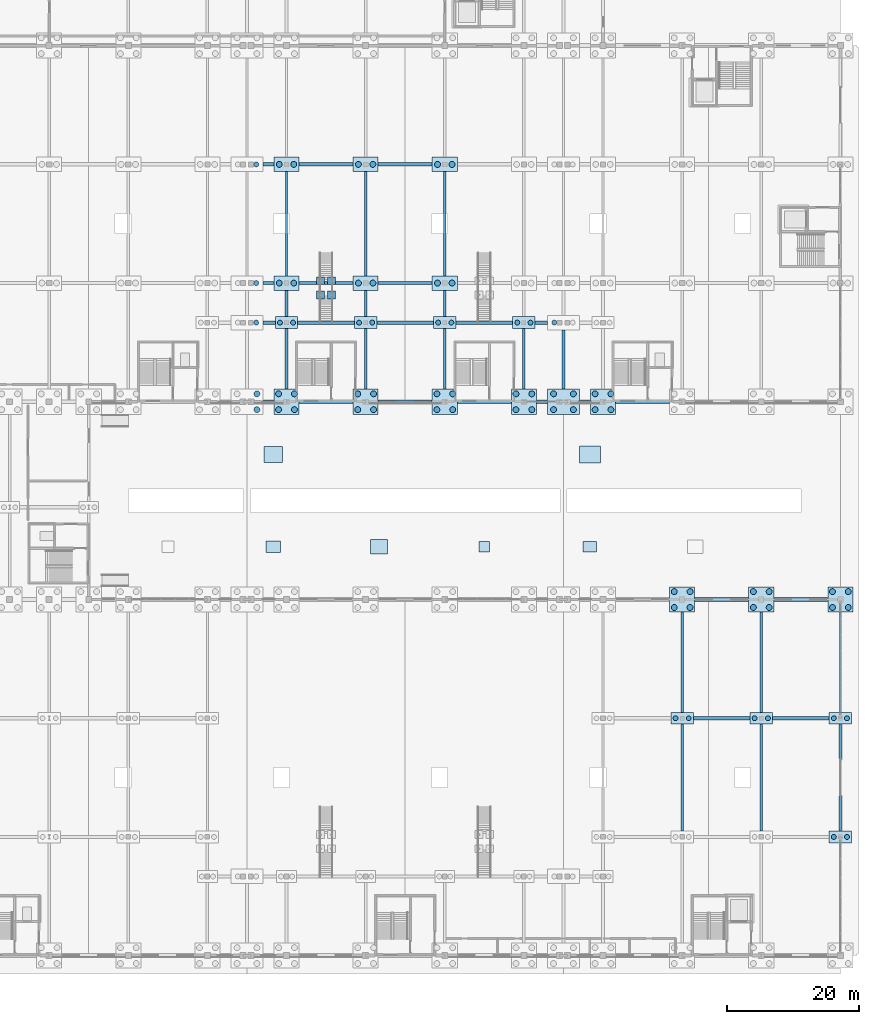
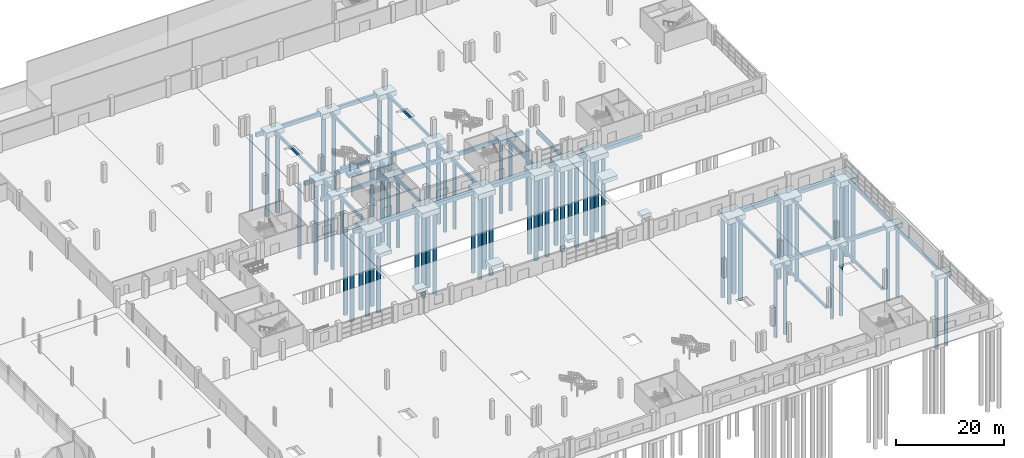
# One storey, part 6 of 77: 72 footings, 70 piles.
"""IFC4 building model written with IfcOpenShell, lengths in metres."""

from ifc_helpers import new_model, si_unit, direction, frame, origin, origin_2d, place, context, subcontext, project, spatial, rectangle, circle, extrude, material, material_profile, profile_set, type_object, element, save


model = new_model("IFC4")

# Units and contexts
model_context = context("Model", 3, precision=1e-05, world=origin(), true_north=direction((0.0, 1.0)))
body_context = subcontext(model_context, "Body", "Model", "MODEL_VIEW")
ifc_project = project(units=[si_unit("LENGTHUNIT", "METRE"), si_unit("AREAUNIT", "SQUARE_METRE"), si_unit("VOLUMEUNIT", "CUBIC_METRE"), si_unit("PLANEANGLEUNIT", "RADIAN"), si_unit("MASSUNIT", "GRAM", prefix="KILO")], contexts=[model_context])

# Site, building, storey
site_placement = place(None, origin())
site = spatial("IfcSite", under=ifc_project, at=site_placement, CompositionType="ELEMENT")
building_placement = place(site_placement, origin())
building = spatial("IfcBuilding", under=site, at=building_placement, Name="Zilviju Railside Exhibition Hall", CompositionType="ELEMENT")
storey_placement = place(building_placement, origin())
storey = spatial("IfcBuildingStorey", under=building, at=storey_placement, Name="L01", CompositionType="ELEMENT", Elevation=0.0)

# Footings
ifc_material_1 = material(Name="Concrete C35/45", Category="concrete")
footing_type_1 = type_object("IfcFootingType", Name="CAP-PC-01", PredefinedType="PILE_CAP", material=ifc_material_1)
for number, where, z_axis, x_axis, name in (
    (1, (192.0, 54.0, -1.60009765625), (0.0, 0.0, 1.0), (1.0, 0.0, 0.0), "Pile Cap FND-CAP-084"),
    (2, (204.0, 54.0, -1.60009765625), (0.0, 0.0, 1.0), (1.0, 0.0, 0.0), "Pile Cap FND-CAP-085"),
    (3, (216.0, 54.0, -1.60009765625), (0.0, 0.0, 1.0), (1.0, 0.0, 0.0), "Pile Cap FND-CAP-086"),
    (4, (132.0, 84.0, -1.60009765625), (0.0, 0.0, 1.0), (1.0, 0.0, 0.0), "Pile Cap FND-CAP-124"),
    (5, (144.0, 84.0, -1.60009765625), (0.0, 0.0, 1.0), (1.0, 0.0, 0.0), "Pile Cap FND-CAP-125"),
    (6, (156.0, 84.0, -1.60009765625), (0.0, 0.0, 1.0), (1.0, 0.0, 0.0), "Pile Cap FND-CAP-126"),
    (7, (168.0, 84.0, -1.60009765625), (0.0, 0.0, 1.0), (1.0, 0.0, 0.0), "Pile Cap FND-CAP-127"),
    (8, (180.0, 84.0, -1.60009765625), (0.0, 0.0, 1.0), (1.0, 0.0, 0.0), "Pile Cap FND-CAP-129"),
):
    element("IfcFooting", number, at=place(storey_placement, frame(where, z_axis=z_axis, x_axis=x_axis)), inside=storey, type_object=footing_type_1, Name=name, PredefinedType="PILE_CAP", context=body_context, shape_type="SweptSolid", body=[
        extrude(rectangle(XDim=3.800048828125, YDim=3.800048828125, at=origin_2d()), origin(), (0.0, 0.0, 1.0), 1.199951171875),
    ])
footing_type_2 = type_object("IfcFootingType", Name="CAP-PC-02", PredefinedType="PILE_CAP", material=ifc_material_1)
for number, where, z_axis, x_axis, name in (
    (9, (132.0, 102.0, -1.550048828125), (0.0, 0.0, 1.0), (1.0, 0.0, 0.0), "Pile Cap FND-CAP-155"),
    (10, (144.0, 102.0, -1.550048828125), (0.0, 0.0, 1.0), (1.0, 0.0, 0.0), "Pile Cap FND-CAP-156"),
    (11, (156.0, 102.0, -1.550048828125), (0.0, 0.0, 1.0), (1.0, 0.0, 0.0), "Pile Cap FND-CAP-157"),
    (12, (132.0, 120.0, -1.550048828125), (0.0, 0.0, 1.0), (1.0, 0.0, 0.0), "Pile Cap FND-CAP-178"),
    (13, (144.0, 120.0, -1.550048828125), (0.0, 0.0, 1.0), (1.0, 0.0, 0.0), "Pile Cap FND-CAP-179"),
    (14, (156.0, 120.0, -1.550048828125), (0.0, 0.0, 1.0), (1.0, 0.0, 0.0), "Pile Cap FND-CAP-180"),
):
    element("IfcFooting", number, at=place(storey_placement, frame(where, z_axis=z_axis, x_axis=x_axis)), inside=storey, type_object=footing_type_2, Name=name, PredefinedType="PILE_CAP", context=body_context, shape_type="SweptSolid", body=[
        extrude(rectangle(XDim=3.800048828125, YDim=2.199951171875, at=origin_2d()), origin(), (0.0, 0.0, 1.0), 1.14990234375),
    ])
footing_type_3 = type_object("IfcFootingType", Name="CAP-PC-03", PredefinedType="PILE_CAP", material=ifc_material_1)
for number, where, z_axis, x_axis, name in (
    (15, (216.0, 18.0, -1.4501953125), (0.0, 0.0, 1.0), (1.0, 0.0, 0.0), "Pile Cap FND-CAP-042"),
    (16, (192.0, 36.0, -1.4501953125), (0.0, 0.0, 1.0), (1.0, 0.0, 0.0), "Pile Cap FND-CAP-056"),
    (17, (204.0, 36.0, -1.4501953125), (0.0, 0.0, 1.0), (1.0, 0.0, 0.0), "Pile Cap FND-CAP-057"),
    (18, (216.0, 36.0, -1.4501953125), (0.0, 0.0, 1.0), (1.0, 0.0, 0.0), "Pile Cap FND-CAP-058"),
    (19, (132.0, 96.0, -1.4501953125), (0.0, 0.0, 1.0), (1.0, 0.0, 0.0), "Pile Cap FND-CAP-135"),
    (20, (144.0, 96.0, -1.4501953125), (0.0, 0.0, 1.0), (1.0, 0.0, 0.0), "Pile Cap FND-CAP-136"),
    (21, (156.0, 96.0, -1.4501953125), (0.0, 0.0, 1.0), (1.0, 0.0, 0.0), "Pile Cap FND-CAP-137"),
    (22, (168.0, 96.0, -1.4501953125), (0.0, 0.0, 1.0), (1.0, 0.0, 0.0), "Pile Cap FND-CAP-138"),
):
    element("IfcFooting", number, at=place(storey_placement, frame(where, z_axis=z_axis, x_axis=x_axis)), inside=storey, type_object=footing_type_3, Name=name, PredefinedType="PILE_CAP", context=body_context, shape_type="SweptSolid", body=[
        extrude(rectangle(XDim=3.39990234375, YDim=1.800048828125, at=origin_2d()), origin(), (0.0, 0.0, 1.0), 1.050048828125),
    ])
footing_type_4 = type_object("IfcFootingType", Name="CAP-PC-06", PredefinedType="PILE_CAP", material=ifc_material_1)
footing_1_placement = place(storey_placement, frame((174.0, 84.0, -1.60009765625), z_axis=(0.0, 0.0, 1.0), x_axis=(1.0, 0.0, 0.0)))
element("IfcFooting", 23, at=footing_1_placement, inside=storey, type_object=footing_type_4, Name="Combined Pile Cap FND-CAP-128", PredefinedType="PILE_CAP", context=body_context, shape_type="SweptSolid", body=[
    extrude(rectangle(XDim=4.800048828125, YDim=3.800048828125, at=origin_2d()), origin(), (0.0, 0.0, 1.0), 1.199951171875),
])
ifc_material_profile_1 = material_profile(ifc_material_1, rectangle(XDim=0.60009765625, YDim=0.89990234375, at=origin_2d()), Name="TIE BEAM 600x900")
ifc_profile_set_1 = profile_set([ifc_material_profile_1], Name="Concrete C35/45")
footing_type_5 = type_object("IfcFootingType", Name="GB-GB-01", PredefinedType="FOOTING_BEAM", material=ifc_profile_set_1)
for number, where, z_axis, x_axis, name in (
    (24, (193.89990234375, 54.0, -0.85009765625), (1.0, 0.0, 0.0), (0.0, 1.0, 0.0), "Ground Tie Beam GB-0073"),
    (25, (205.89990234375, 54.0, -0.85009765625), (1.0, 0.0, 0.0), (0.0, 1.0, 0.0), "Ground Tie Beam GB-0074"),
):
    element("IfcFooting", number, at=place(storey_placement, frame(where, z_axis=z_axis, x_axis=x_axis)), inside=storey, type_object=footing_type_5, Name=name, PredefinedType="FOOTING_BEAM", context=body_context, shape_type="SweptSolid", body=[
        extrude(rectangle(XDim=0.60009765625, YDim=0.89990234375, at=origin_2d()), origin(), (0.0, 0.0, 1.0), 8.2001953125),
    ])
footing_2_placement = place(storey_placement, frame((128.39990234375, 84.0, -0.85009765625), z_axis=(1.0, 0.0, 0.0), x_axis=(0.0, 1.0, 0.0)))
element("IfcFooting", 26, at=footing_2_placement, inside=storey, type_object=footing_type_5, Name="Ground Tie Beam GB-0105", PredefinedType="FOOTING_BEAM", context=body_context, shape_type="SweptSolid", body=[
    extrude(rectangle(XDim=0.60009765625, YDim=0.89990234375, at=origin_2d()), origin(), (0.0, 0.0, 1.0), 1.7001953125),
])
for number, where, z_axis, x_axis, name in (
    (27, (133.89990234375, 84.0, -0.85009765625), (1.0, 0.0, 0.0), (0.0, 1.0, 0.0), "Ground Tie Beam GB-0106"),
    (28, (145.89990234375, 84.0, -0.85009765625), (1.0, 0.0, 0.0), (0.0, 1.0, 0.0), "Ground Tie Beam GB-0107"),
    (29, (157.89990234375, 84.0, -0.85009765625), (1.0, 0.0, 0.0), (0.0, 1.0, 0.0), "Ground Tie Beam GB-0108"),
):
    element("IfcFooting", number, at=place(storey_placement, frame(where, z_axis=z_axis, x_axis=x_axis)), inside=storey, type_object=footing_type_5, Name=name, PredefinedType="FOOTING_BEAM", context=body_context, shape_type="SweptSolid", body=[
        extrude(rectangle(XDim=0.60009765625, YDim=0.89990234375, at=origin_2d()), origin(), (0.0, 0.0, 1.0), 8.2001953125),
    ])
for number, where, z_axis, x_axis, name in (
    (30, (169.89990234375, 84.0, -0.85009765625), (1.0, 0.0, 0.0), (0.0, 1.0, 0.0), "Ground Tie Beam GB-0109"),
    (31, (176.39990234375, 84.0, -0.85009765625), (1.0, 0.0, 0.0), (0.0, 1.0, 0.0), "Ground Tie Beam GB-0110"),
):
    element("IfcFooting", number, at=place(storey_placement, frame(where, z_axis=z_axis, x_axis=x_axis)), inside=storey, type_object=footing_type_5, Name=name, PredefinedType="FOOTING_BEAM", context=body_context, shape_type="SweptSolid", body=[
        extrude(rectangle(XDim=0.60009765625, YDim=0.89990234375, at=origin_2d()), origin(), (0.0, 0.0, 1.0), 1.7001953125),
    ])
footing_3_placement = place(storey_placement, frame((181.89990234375, 84.0, -0.85009765625), z_axis=(1.0, 0.0, 0.0), x_axis=(0.0, 1.0, 0.0)))
element("IfcFooting", 32, at=footing_3_placement, inside=storey, type_object=footing_type_5, Name="Ground Tie Beam GB-0111", PredefinedType="FOOTING_BEAM", context=body_context, shape_type="SweptSolid", body=[
    extrude(rectangle(XDim=0.60009765625, YDim=0.89990234375, at=origin_2d()), origin(), (0.0, 0.0, 1.0), 8.2001953125),
])
ifc_material_profile_2 = material_profile(ifc_material_1, rectangle(XDim=0.5, YDim=0.85009765625, at=origin_2d()), Name="TIE BEAM 500x850")
ifc_profile_set_2 = profile_set([ifc_material_profile_2], Name="Concrete C35/45")
footing_type_6 = type_object("IfcFootingType", Name="GB-GB-02", PredefinedType="FOOTING_BEAM", material=ifc_profile_set_2)
for number, where, z_axis, x_axis, name in (
    (33, (193.699951171875, 36.0, -0.824951171875), (1.0, 0.0, 0.0), (0.0, 1.0, 0.0), "Ground Tie Beam GB-0050"),
    (34, (205.699951171875, 36.0, -0.824951171875), (1.0, 0.0, 0.0), (0.0, 1.0, 0.0), "Ground Tie Beam GB-0051"),
):
    element("IfcFooting", number, at=place(storey_placement, frame(where, z_axis=z_axis, x_axis=x_axis)), inside=storey, type_object=footing_type_6, Name=name, PredefinedType="FOOTING_BEAM", context=body_context, shape_type="SweptSolid", body=[
        extrude(rectangle(XDim=0.5, YDim=0.85009765625, at=origin_2d()), origin(), (0.0, 0.0, 1.0), 8.60009765625),
    ])
footing_4_placement = place(storey_placement, frame((128.39990234375, 96.0, -0.824951171875), z_axis=(1.0, 0.0, 0.0), x_axis=(0.0, 1.0, 0.0)))
element("IfcFooting", 35, at=footing_4_placement, inside=storey, type_object=footing_type_6, Name="Ground Tie Beam GB-0115", PredefinedType="FOOTING_BEAM", context=body_context, shape_type="SweptSolid", body=[
    extrude(rectangle(XDim=0.5, YDim=0.85009765625, at=origin_2d()), origin(), (0.0, 0.0, 1.0), 1.900146484375),
])
for number, where, z_axis, x_axis, name in (
    (36, (133.699951171875, 96.0, -0.824951171875), (1.0, 0.0, 0.0), (0.0, 1.0, 0.0), "Ground Tie Beam GB-0116"),
    (37, (145.699951171875, 96.0, -0.824951171875), (1.0, 0.0, 0.0), (0.0, 1.0, 0.0), "Ground Tie Beam GB-0117"),
    (38, (157.699951171875, 96.0, -0.824951171875), (1.0, 0.0, 0.0), (0.0, 1.0, 0.0), "Ground Tie Beam GB-0118"),
):
    element("IfcFooting", number, at=place(storey_placement, frame(where, z_axis=z_axis, x_axis=x_axis)), inside=storey, type_object=footing_type_6, Name=name, PredefinedType="FOOTING_BEAM", context=body_context, shape_type="SweptSolid", body=[
        extrude(rectangle(XDim=0.5, YDim=0.85009765625, at=origin_2d()), origin(), (0.0, 0.0, 1.0), 8.60009765625),
    ])
footing_5_placement = place(storey_placement, frame((169.699951171875, 96.0, -0.824951171875), z_axis=(1.0, 0.0, 0.0), x_axis=(0.0, 1.0, 0.0)))
element("IfcFooting", 39, at=footing_5_placement, inside=storey, type_object=footing_type_6, Name="Ground Tie Beam GB-0119", PredefinedType="FOOTING_BEAM", context=body_context, shape_type="SweptSolid", body=[
    extrude(rectangle(XDim=0.5, YDim=0.85009765625, at=origin_2d()), origin(), (0.0, 0.0, 1.0), 1.900146484375),
])
footing_6_placement = place(storey_placement, frame((128.39990234375, 102.0, -0.824951171875), z_axis=(1.0, 0.0, 0.0), x_axis=(0.0, 1.0, 0.0)))
element("IfcFooting", 40, at=footing_6_placement, inside=storey, type_object=footing_type_6, Name="Ground Tie Beam GB-0134", PredefinedType="FOOTING_BEAM", context=body_context, shape_type="SweptSolid", body=[
    extrude(rectangle(XDim=0.5, YDim=0.85009765625, at=origin_2d()), origin(), (0.0, 0.0, 1.0), 1.7001953125),
])
for number, where, z_axis, x_axis, name in (
    (41, (133.89990234375, 102.0, -0.824951171875), (1.0, 0.0, 0.0), (0.0, 1.0, 0.0), "Ground Tie Beam GB-0135"),
    (42, (145.89990234375, 102.0, -0.824951171875), (1.0, 0.0, 0.0), (0.0, 1.0, 0.0), "Ground Tie Beam GB-0136"),
):
    element("IfcFooting", number, at=place(storey_placement, frame(where, z_axis=z_axis, x_axis=x_axis)), inside=storey, type_object=footing_type_6, Name=name, PredefinedType="FOOTING_BEAM", context=body_context, shape_type="SweptSolid", body=[
        extrude(rectangle(XDim=0.5, YDim=0.85009765625, at=origin_2d()), origin(), (0.0, 0.0, 1.0), 8.2001953125),
    ])
footing_7_placement = place(storey_placement, frame((128.39990234375, 120.0, -0.824951171875), z_axis=(1.0, 0.0, 0.0), x_axis=(0.0, 1.0, 0.0)))
element("IfcFooting", 43, at=footing_7_placement, inside=storey, type_object=footing_type_6, Name="Ground Tie Beam GB-0156", PredefinedType="FOOTING_BEAM", context=body_context, shape_type="SweptSolid", body=[
    extrude(rectangle(XDim=0.5, YDim=0.85009765625, at=origin_2d()), origin(), (0.0, 0.0, 1.0), 1.7001953125),
])
for number, where, z_axis, x_axis, name in (
    (44, (133.89990234375, 120.0, -0.824951171875), (1.0, 0.0, 0.0), (0.0, 1.0, 0.0), "Ground Tie Beam GB-0157"),
    (45, (145.89990234375, 120.0, -0.824951171875), (1.0, 0.0, 0.0), (0.0, 1.0, 0.0), "Ground Tie Beam GB-0158"),
):
    element("IfcFooting", number, at=place(storey_placement, frame(where, z_axis=z_axis, x_axis=x_axis)), inside=storey, type_object=footing_type_6, Name=name, PredefinedType="FOOTING_BEAM", context=body_context, shape_type="SweptSolid", body=[
        extrude(rectangle(XDim=0.5, YDim=0.85009765625, at=origin_2d()), origin(), (0.0, 0.0, 1.0), 8.2001953125),
    ])
ifc_material_profile_3 = material_profile(ifc_material_1, rectangle(XDim=0.39990234375, YDim=0.75, at=origin_2d()), Name="TIE BEAM 400x750")
ifc_profile_set_3 = profile_set([ifc_material_profile_3], Name="Concrete C35/45")
footing_type_7 = type_object("IfcFootingType", Name="GB-GB-04", PredefinedType="FOOTING_BEAM", material=ifc_profile_set_3)
footing_8_placement = place(storey_placement, frame((132.0, 85.89990234375, -0.77490234375), z_axis=(0.0, 1.0, 0.0), x_axis=(-1.0, 0.0, 0.0)))
element("IfcFooting", 46, at=footing_8_placement, inside=storey, type_object=footing_type_7, Name="Ground Tie Beam GB-0333", PredefinedType="FOOTING_BEAM", context=body_context, shape_type="SweptSolid", body=[
    extrude(rectangle(XDim=0.39990234375, YDim=0.75, at=origin_2d()), origin(), (0.0, 0.0, 1.0), 9.2001953125),
])
footing_9_placement = place(storey_placement, frame((132.0, 96.89990234375, -0.77490234375), z_axis=(0.0, 1.0, 0.0), x_axis=(-1.0, 0.0, 0.0)))
element("IfcFooting", 47, at=footing_9_placement, inside=storey, type_object=footing_type_7, Name="Ground Tie Beam GB-0334", PredefinedType="FOOTING_BEAM", context=body_context, shape_type="SweptSolid", body=[
    extrude(rectangle(XDim=0.39990234375, YDim=0.75, at=origin_2d()), origin(), (0.0, 0.0, 1.0), 4.0),
])
footing_10_placement = place(storey_placement, frame((144.0, 85.89990234375, -0.77490234375), z_axis=(0.0, 1.0, 0.0), x_axis=(-1.0, 0.0, 0.0)))
element("IfcFooting", 48, at=footing_10_placement, inside=storey, type_object=footing_type_7, Name="Ground Tie Beam GB-0339", PredefinedType="FOOTING_BEAM", context=body_context, shape_type="SweptSolid", body=[
    extrude(rectangle(XDim=0.39990234375, YDim=0.75, at=origin_2d()), origin(), (0.0, 0.0, 1.0), 9.2001953125),
])
footing_11_placement = place(storey_placement, frame((144.0, 96.89990234375, -0.77490234375), z_axis=(0.0, 1.0, 0.0), x_axis=(-1.0, 0.0, 0.0)))
element("IfcFooting", 49, at=footing_11_placement, inside=storey, type_object=footing_type_7, Name="Ground Tie Beam GB-0340", PredefinedType="FOOTING_BEAM", context=body_context, shape_type="SweptSolid", body=[
    extrude(rectangle(XDim=0.39990234375, YDim=0.75, at=origin_2d()), origin(), (0.0, 0.0, 1.0), 4.0),
])
footing_12_placement = place(storey_placement, frame((156.0, 85.89990234375, -0.77490234375), z_axis=(0.0, 1.0, 0.0), x_axis=(-1.0, 0.0, 0.0)))
element("IfcFooting", 50, at=footing_12_placement, inside=storey, type_object=footing_type_7, Name="Ground Tie Beam GB-0345", PredefinedType="FOOTING_BEAM", context=body_context, shape_type="SweptSolid", body=[
    extrude(rectangle(XDim=0.39990234375, YDim=0.75, at=origin_2d()), origin(), (0.0, 0.0, 1.0), 9.2001953125),
])
footing_13_placement = place(storey_placement, frame((156.0, 96.89990234375, -0.77490234375), z_axis=(0.0, 1.0, 0.0), x_axis=(-1.0, 0.0, 0.0)))
element("IfcFooting", 51, at=footing_13_placement, inside=storey, type_object=footing_type_7, Name="Ground Tie Beam GB-0346", PredefinedType="FOOTING_BEAM", context=body_context, shape_type="SweptSolid", body=[
    extrude(rectangle(XDim=0.39990234375, YDim=0.75, at=origin_2d()), origin(), (0.0, 0.0, 1.0), 4.0),
])
footing_14_placement = place(storey_placement, frame((168.0, 85.89990234375, -0.77490234375), z_axis=(0.0, 1.0, 0.0), x_axis=(-1.0, 0.0, 0.0)))
element("IfcFooting", 52, at=footing_14_placement, inside=storey, type_object=footing_type_7, Name="Ground Tie Beam GB-0351", PredefinedType="FOOTING_BEAM", context=body_context, shape_type="SweptSolid", body=[
    extrude(rectangle(XDim=0.39990234375, YDim=0.75, at=origin_2d()), origin(), (0.0, 0.0, 1.0), 9.2001953125),
])
footing_15_placement = place(storey_placement, frame((174.0, 85.89990234375, -0.77490234375), z_axis=(0.0, 1.0, 0.0), x_axis=(-1.0, 0.0, 0.0)))
element("IfcFooting", 53, at=footing_15_placement, inside=storey, type_object=footing_type_7, Name="Ground Tie Beam GB-0357", PredefinedType="FOOTING_BEAM", context=body_context, shape_type="SweptSolid", body=[
    extrude(rectangle(XDim=0.39990234375, YDim=0.75, at=origin_2d()), origin(), (0.0, 0.0, 1.0), 9.0),
])
ifc_material_profile_4 = material_profile(ifc_material_1, rectangle(XDim=0.35009765625, YDim=0.64990234375, at=origin_2d()), Name="TIE BEAM 350x650")
ifc_profile_set_4 = profile_set([ifc_material_profile_4], Name="Concrete C35/45")
footing_type_8 = type_object("IfcFootingType", Name="GB-GB-06", PredefinedType="FOOTING_BEAM", material=ifc_profile_set_4)
for number, where, z_axis, x_axis, name in (
    (54, (132.0, 103.10009765625, -0.72509765625), (0.0, 1.0, 0.0), (-1.0, 0.0, 0.0), "Ground Tie Beam GB-0335"),
    (55, (144.0, 103.10009765625, -0.72509765625), (0.0, 1.0, 0.0), (-1.0, 0.0, 0.0), "Ground Tie Beam GB-0341"),
    (56, (156.0, 103.10009765625, -0.72509765625), (0.0, 1.0, 0.0), (-1.0, 0.0, 0.0), "Ground Tie Beam GB-0347"),
):
    element("IfcFooting", number, at=place(storey_placement, frame(where, z_axis=z_axis, x_axis=x_axis)), inside=storey, type_object=footing_type_8, Name=name, PredefinedType="FOOTING_BEAM", context=body_context, shape_type="SweptSolid", body=[
        extrude(rectangle(XDim=0.35009765625, YDim=0.64990234375, at=origin_2d()), origin(), (0.0, 0.0, 1.0), 15.7998046875),
    ])
footing_16_placement = place(storey_placement, frame((192.0, 18.89990234375, -0.72509765625), z_axis=(0.0, 1.0, 0.0), x_axis=(-1.0, 0.0, 0.0)))
element("IfcFooting", 57, at=footing_16_placement, inside=storey, type_object=footing_type_8, Name="Ground Tie Beam GB-0372", PredefinedType="FOOTING_BEAM", context=body_context, shape_type="SweptSolid", body=[
    extrude(rectangle(XDim=0.35009765625, YDim=0.64990234375, at=origin_2d()), origin(), (0.0, 0.0, 1.0), 16.2001953125),
])
footing_17_placement = place(storey_placement, frame((192.0, 36.89990234375, -0.72509765625), z_axis=(0.0, 1.0, 0.0), x_axis=(-1.0, 0.0, 0.0)))
element("IfcFooting", 58, at=footing_17_placement, inside=storey, type_object=footing_type_8, Name="Ground Tie Beam GB-0373", PredefinedType="FOOTING_BEAM", context=body_context, shape_type="SweptSolid", body=[
    extrude(rectangle(XDim=0.35009765625, YDim=0.64990234375, at=origin_2d()), origin(), (0.0, 0.0, 1.0), 15.2001953125),
])
footing_18_placement = place(storey_placement, frame((204.0, 18.89990234375, -0.72509765625), z_axis=(0.0, 1.0, 0.0), x_axis=(-1.0, 0.0, 0.0)))
element("IfcFooting", 59, at=footing_18_placement, inside=storey, type_object=footing_type_8, Name="Ground Tie Beam GB-0378", PredefinedType="FOOTING_BEAM", context=body_context, shape_type="SweptSolid", body=[
    extrude(rectangle(XDim=0.35009765625, YDim=0.64990234375, at=origin_2d()), origin(), (0.0, 0.0, 1.0), 16.2001953125),
])
footing_19_placement = place(storey_placement, frame((204.0, 36.89990234375, -0.72509765625), z_axis=(0.0, 1.0, 0.0), x_axis=(-1.0, 0.0, 0.0)))
element("IfcFooting", 60, at=footing_19_placement, inside=storey, type_object=footing_type_8, Name="Ground Tie Beam GB-0379", PredefinedType="FOOTING_BEAM", context=body_context, shape_type="SweptSolid", body=[
    extrude(rectangle(XDim=0.35009765625, YDim=0.64990234375, at=origin_2d()), origin(), (0.0, 0.0, 1.0), 15.2001953125),
])
footing_20_placement = place(storey_placement, frame((216.0, 18.89990234375, -0.72509765625), z_axis=(0.0, 1.0, 0.0), x_axis=(-1.0, 0.0, 0.0)))
element("IfcFooting", 61, at=footing_20_placement, inside=storey, type_object=footing_type_8, Name="Ground Tie Beam GB-0384", PredefinedType="FOOTING_BEAM", context=body_context, shape_type="SweptSolid", body=[
    extrude(rectangle(XDim=0.35009765625, YDim=0.64990234375, at=origin_2d()), origin(), (0.0, 0.0, 1.0), 16.2001953125),
])
footing_21_placement = place(storey_placement, frame((216.0, 36.89990234375, -0.72509765625), z_axis=(0.0, 1.0, 0.0), x_axis=(-1.0, 0.0, 0.0)))
element("IfcFooting", 62, at=footing_21_placement, inside=storey, type_object=footing_type_8, Name="Ground Tie Beam GB-0385", PredefinedType="FOOTING_BEAM", context=body_context, shape_type="SweptSolid", body=[
    extrude(rectangle(XDim=0.35009765625, YDim=0.64990234375, at=origin_2d()), origin(), (0.0, 0.0, 1.0), 15.2001953125),
])
footing_type_9 = type_object("IfcFootingType", Name="PAD-PF-04", PredefinedType="PAD_FOOTING", material=ifc_material_1)
footing_22_placement = place(storey_placement, frame((130.0, 62.0, -1.14990234375), z_axis=(0.0, 0.0, 1.0), x_axis=(1.0, 0.0, 0.0)))
element("IfcFooting", 63, at=footing_22_placement, inside=storey, type_object=footing_type_9, Name="Court Plinth Pad Footing CP-02", PredefinedType="PAD_FOOTING", context=body_context, shape_type="SweptSolid", body=[
    extrude(rectangle(XDim=2.199951171875, YDim=1.800048828125, at=origin_2d()), origin(), (0.0, 0.0, 1.0), 0.75),
])
ifc_material_2 = material(Name="Concrete C40/50", Category="concrete")
footing_type_10 = type_object("IfcFootingType", Name="PAD-PF-05", PredefinedType="PAD_FOOTING", material=ifc_material_2)
footing_23_placement = place(storey_placement, frame((146.0, 62.0, -1.2001953125), z_axis=(0.0, 0.0, 1.0), x_axis=(1.0, 0.0, 0.0)))
element("IfcFooting", 64, at=footing_23_placement, inside=storey, type_object=footing_type_10, Name="Court Plinth Pad Footing CP-03", PredefinedType="PAD_FOOTING", context=body_context, shape_type="SweptSolid", body=[
    extrude(rectangle(XDim=2.60009765625, YDim=2.199951171875, at=origin_2d()), origin(), (0.0, 0.0, 1.0), 0.800048828125),
])
footing_type_11 = type_object("IfcFootingType", Name="PAD-PF-06", PredefinedType="PAD_FOOTING", material=ifc_material_1)
footing_24_placement = place(storey_placement, frame((162.0, 62.0, -1.10009765625), z_axis=(0.0, 0.0, 1.0), x_axis=(1.0, 0.0, 0.0)))
element("IfcFooting", 65, at=footing_24_placement, inside=storey, type_object=footing_type_11, Name="Court Plinth Pad Footing CP-04", PredefinedType="PAD_FOOTING", context=body_context, shape_type="SweptSolid", body=[
    extrude(rectangle(XDim=1.60009765625, YDim=1.60009765625, at=origin_2d()), origin(), (0.0, 0.0, 1.0), 0.699951171875),
])
footing_type_12 = type_object("IfcFootingType", Name="PAD-PF-07", PredefinedType="PAD_FOOTING", material=ifc_material_1)
footing_25_placement = place(storey_placement, frame((178.0, 62.0, -1.14990234375), z_axis=(0.0, 0.0, 1.0), x_axis=(1.0, 0.0, 0.0)))
element("IfcFooting", 66, at=footing_25_placement, inside=storey, type_object=footing_type_12, Name="Court Plinth Pad Footing CP-05", PredefinedType="PAD_FOOTING", context=body_context, shape_type="SweptSolid", body=[
    extrude(rectangle(XDim=2.0, YDim=1.60009765625, at=origin_2d()), origin(), (0.0, 0.0, 1.0), 0.75),
])
footing_type_13 = type_object("IfcFootingType", Name="PAD-PF-09", PredefinedType="PAD_FOOTING", material=ifc_material_2)
footing_26_placement = place(storey_placement, frame((130.0, 76.0, -1.25), z_axis=(0.0, 0.0, 1.0), x_axis=(1.0, 0.0, 0.0)))
element("IfcFooting", 67, at=footing_26_placement, inside=storey, type_object=footing_type_13, Name="Court Plinth Pad Footing CP-07", PredefinedType="PAD_FOOTING", context=body_context, shape_type="SweptSolid", body=[
    extrude(rectangle(XDim=2.800048828125, YDim=2.39990234375, at=origin_2d()), origin(), (0.0, 0.0, 1.0), 0.85009765625),
])
footing_type_14 = type_object("IfcFootingType", Name="PAD-PF-10", PredefinedType="PAD_FOOTING", material=ifc_material_2)
footing_27_placement = place(storey_placement, frame((178.0, 76.0, -1.300048828125), z_axis=(0.0, 0.0, 1.0), x_axis=(1.0, 0.0, 0.0)))
element("IfcFooting", 68, at=footing_27_placement, inside=storey, type_object=footing_type_14, Name="Court Plinth Pad Footing CP-08", PredefinedType="PAD_FOOTING", context=body_context, shape_type="SweptSolid", body=[
    extrude(rectangle(XDim=3.199951171875, YDim=2.60009765625, at=origin_2d()), origin(), (0.0, 0.0, 1.0), 0.89990234375),
])
footing_type_15 = type_object("IfcFootingType", Name="PAD-PF-11", PredefinedType="PAD_FOOTING", material=ifc_material_1)
for number, where, z_axis, x_axis, name in (
    (69, (137.179931640625, 100.2099609375, -1.1201171875), (0.0, 0.0, 1.0), (1.0, 0.0, 0.0), "Feature Stair ST22 Landing Pad 1"),
    (70, (138.820068359375, 100.2099609375, -1.1201171875), (0.0, 0.0, 1.0), (1.0, 0.0, 0.0), "Feature Stair ST22 Landing Pad 2"),
    (71, (137.179931640625, 102.35009765625, -1.1201171875), (0.0, 0.0, 1.0), (1.0, 0.0, 0.0), "Feature Stair ST22 Landing Pad 3"),
    (72, (138.820068359375, 102.35009765625, -1.1201171875), (0.0, 0.0, 1.0), (1.0, 0.0, 0.0), "Feature Stair ST22 Landing Pad 4"),
):
    element("IfcFooting", number, at=place(storey_placement, frame(where, z_axis=z_axis, x_axis=x_axis)), inside=storey, type_object=footing_type_15, Name=name, PredefinedType="PAD_FOOTING", context=body_context, shape_type="SweptSolid", body=[
        extrude(rectangle(XDim=1.199951171875, YDim=1.199951171875, at=origin_2d()), origin(), (0.0, 0.0, 1.0), 0.699951171875),
    ])

# Piles
ifc_material_profile_5 = material_profile(ifc_material_1, circle(Radius=0.375, at=origin_2d()), Name="CFA PILE D750")
ifc_profile_set_5 = profile_set([ifc_material_profile_5], Name="Concrete C35/45")
pile_type_1 = type_object("IfcPileType", Name="PILE-PL-750", PredefinedType="BORED", material=ifc_profile_set_5)
for number, where, z_axis, x_axis, name in (
    (73, (215.0, 18.0, -0.5), (0.0, 0.0, -1.0), (1.0, 0.0, 0.0), "Bored CFA Pile P-0107"),
    (74, (217.0, 18.0, -0.5), (0.0, 0.0, -1.0), (1.0, 0.0, 0.0), "Bored CFA Pile P-0108"),
    (75, (191.0, 36.0, -0.5), (0.0, 0.0, -1.0), (1.0, 0.0, 0.0), "Bored CFA Pile P-0134"),
    (76, (193.0, 36.0, -0.5), (0.0, 0.0, -1.0), (1.0, 0.0, 0.0), "Bored CFA Pile P-0135"),
    (77, (203.0, 36.0, -0.5), (0.0, 0.0, -1.0), (1.0, 0.0, 0.0), "Bored CFA Pile P-0136"),
    (78, (205.0, 36.0, -0.5), (0.0, 0.0, -1.0), (1.0, 0.0, 0.0), "Bored CFA Pile P-0137"),
    (79, (215.0, 36.0, -0.5), (0.0, 0.0, -1.0), (1.0, 0.0, 0.0), "Bored CFA Pile P-0138"),
    (80, (217.0, 36.0, -0.5), (0.0, 0.0, -1.0), (1.0, 0.0, 0.0), "Bored CFA Pile P-0139"),
    (81, (127.39990234375, 96.0, -0.5), (0.0, 0.0, -1.0), (1.0, 0.0, 0.0), "Bored CFA Pile P-0355"),
    (82, (131.0, 96.0, -0.5), (0.0, 0.0, -1.0), (1.0, 0.0, 0.0), "Bored CFA Pile P-0356"),
    (83, (133.0, 96.0, -0.5), (0.0, 0.0, -1.0), (1.0, 0.0, 0.0), "Bored CFA Pile P-0357"),
    (84, (143.0, 96.0, -0.5), (0.0, 0.0, -1.0), (1.0, 0.0, 0.0), "Bored CFA Pile P-0358"),
    (85, (145.0, 96.0, -0.5), (0.0, 0.0, -1.0), (1.0, 0.0, 0.0), "Bored CFA Pile P-0359"),
    (86, (155.0, 96.0, -0.5), (0.0, 0.0, -1.0), (1.0, 0.0, 0.0), "Bored CFA Pile P-0360"),
    (87, (157.0, 96.0, -0.5), (0.0, 0.0, -1.0), (1.0, 0.0, 0.0), "Bored CFA Pile P-0361"),
    (88, (167.0, 96.0, -0.5), (0.0, 0.0, -1.0), (1.0, 0.0, 0.0), "Bored CFA Pile P-0362"),
    (89, (169.0, 96.0, -0.5), (0.0, 0.0, -1.0), (1.0, 0.0, 0.0), "Bored CFA Pile P-0363"),
    (90, (172.60009765625, 96.0, -0.5), (0.0, 0.0, -1.0), (1.0, 0.0, 0.0), "Bored CFA Pile P-0364"),
    (91, (127.39990234375, 102.0, -0.5), (0.0, 0.0, -1.0), (1.0, 0.0, 0.0), "Bored CFA Pile P-0394"),
    (92, (127.39990234375, 120.0, -0.5), (0.0, 0.0, -1.0), (1.0, 0.0, 0.0), "Bored CFA Pile P-0440"),
):
    element("IfcPile", number, at=place(storey_placement, frame(where, z_axis=z_axis, x_axis=x_axis)), inside=storey, type_object=pile_type_1, Name=name, PredefinedType="BORED", context=body_context, shape_type="SweptSolid", body=[
        extrude(circle(Radius=0.375, at=origin_2d()), origin(), (0.0, 0.0, 1.0), 16.89990234375),
    ])
ifc_material_profile_6 = material_profile(ifc_material_1, circle(Radius=0.449951171875, at=origin_2d()), Name="CFA PILE D900")
ifc_profile_set_6 = profile_set([ifc_material_profile_6], Name="Concrete C35/45")
pile_type_2 = type_object("IfcPileType", Name="PILE-PL-900", PredefinedType="BORED", material=ifc_profile_set_6)
for number, where, z_axis, x_axis, name in (
    (93, (190.800048828125, 52.800048828125, -0.5), (0.0, 0.0, -1.0), (1.0, 0.0, 0.0), "Bored CFA Pile P-0217"),
    (94, (193.199951171875, 52.800048828125, -0.5), (0.0, 0.0, -1.0), (1.0, 0.0, 0.0), "Bored CFA Pile P-0218"),
    (95, (190.800048828125, 55.199951171875, -0.5), (0.0, 0.0, -1.0), (1.0, 0.0, 0.0), "Bored CFA Pile P-0219"),
    (96, (193.199951171875, 55.199951171875, -0.5), (0.0, 0.0, -1.0), (1.0, 0.0, 0.0), "Bored CFA Pile P-0220"),
    (97, (202.800048828125, 52.800048828125, -0.5), (0.0, 0.0, -1.0), (1.0, 0.0, 0.0), "Bored CFA Pile P-0221"),
    (98, (205.199951171875, 52.800048828125, -0.5), (0.0, 0.0, -1.0), (1.0, 0.0, 0.0), "Bored CFA Pile P-0222"),
    (99, (202.800048828125, 55.199951171875, -0.5), (0.0, 0.0, -1.0), (1.0, 0.0, 0.0), "Bored CFA Pile P-0223"),
    (100, (205.199951171875, 55.199951171875, -0.5), (0.0, 0.0, -1.0), (1.0, 0.0, 0.0), "Bored CFA Pile P-0224"),
    (101, (214.800048828125, 52.800048828125, -0.5), (0.0, 0.0, -1.0), (1.0, 0.0, 0.0), "Bored CFA Pile P-0225"),
    (102, (217.199951171875, 52.800048828125, -0.5), (0.0, 0.0, -1.0), (1.0, 0.0, 0.0), "Bored CFA Pile P-0226"),
    (103, (214.800048828125, 55.199951171875, -0.5), (0.0, 0.0, -1.0), (1.0, 0.0, 0.0), "Bored CFA Pile P-0227"),
    (104, (217.199951171875, 55.199951171875, -0.5), (0.0, 0.0, -1.0), (1.0, 0.0, 0.0), "Bored CFA Pile P-0228"),
    (105, (127.5, 82.800048828125, -0.5), (0.0, 0.0, -1.0), (1.0, 0.0, 0.0), "Bored CFA Pile P-0313"),
    (106, (127.5, 85.199951171875, -0.5), (0.0, 0.0, -1.0), (1.0, 0.0, 0.0), "Bored CFA Pile P-0315"),
    (107, (130.800048828125, 82.800048828125, -0.5), (0.0, 0.0, -1.0), (1.0, 0.0, 0.0), "Bored CFA Pile P-0316"),
    (108, (133.199951171875, 82.800048828125, -0.5), (0.0, 0.0, -1.0), (1.0, 0.0, 0.0), "Bored CFA Pile P-0317"),
    (109, (130.800048828125, 85.199951171875, -0.5), (0.0, 0.0, -1.0), (1.0, 0.0, 0.0), "Bored CFA Pile P-0318"),
    (110, (133.199951171875, 85.199951171875, -0.5), (0.0, 0.0, -1.0), (1.0, 0.0, 0.0), "Bored CFA Pile P-0319"),
    (111, (142.800048828125, 82.800048828125, -0.5), (0.0, 0.0, -1.0), (1.0, 0.0, 0.0), "Bored CFA Pile P-0320"),
    (112, (145.199951171875, 82.800048828125, -0.5), (0.0, 0.0, -1.0), (1.0, 0.0, 0.0), "Bored CFA Pile P-0321"),
    (113, (142.800048828125, 85.199951171875, -0.5), (0.0, 0.0, -1.0), (1.0, 0.0, 0.0), "Bored CFA Pile P-0322"),
    (114, (145.199951171875, 85.199951171875, -0.5), (0.0, 0.0, -1.0), (1.0, 0.0, 0.0), "Bored CFA Pile P-0323"),
    (115, (154.800048828125, 82.800048828125, -0.5), (0.0, 0.0, -1.0), (1.0, 0.0, 0.0), "Bored CFA Pile P-0324"),
    (116, (157.199951171875, 82.800048828125, -0.5), (0.0, 0.0, -1.0), (1.0, 0.0, 0.0), "Bored CFA Pile P-0325"),
    (117, (154.800048828125, 85.199951171875, -0.5), (0.0, 0.0, -1.0), (1.0, 0.0, 0.0), "Bored CFA Pile P-0326"),
    (118, (157.199951171875, 85.199951171875, -0.5), (0.0, 0.0, -1.0), (1.0, 0.0, 0.0), "Bored CFA Pile P-0327"),
    (119, (166.800048828125, 82.800048828125, -0.5), (0.0, 0.0, -1.0), (1.0, 0.0, 0.0), "Bored CFA Pile P-0328"),
    (120, (169.199951171875, 82.800048828125, -0.5), (0.0, 0.0, -1.0), (1.0, 0.0, 0.0), "Bored CFA Pile P-0329"),
    (121, (166.800048828125, 85.199951171875, -0.5), (0.0, 0.0, -1.0), (1.0, 0.0, 0.0), "Bored CFA Pile P-0330"),
    (122, (169.199951171875, 85.199951171875, -0.5), (0.0, 0.0, -1.0), (1.0, 0.0, 0.0), "Bored CFA Pile P-0331"),
    (123, (172.5, 82.800048828125, -0.5), (0.0, 0.0, -1.0), (1.0, 0.0, 0.0), "Bored CFA Pile P-0332"),
    (124, (175.5, 82.800048828125, -0.5), (0.0, 0.0, -1.0), (1.0, 0.0, 0.0), "Bored CFA Pile P-0333"),
    (125, (172.5, 85.199951171875, -0.5), (0.0, 0.0, -1.0), (1.0, 0.0, 0.0), "Bored CFA Pile P-0334"),
    (126, (175.5, 85.199951171875, -0.5), (0.0, 0.0, -1.0), (1.0, 0.0, 0.0), "Bored CFA Pile P-0335"),
    (127, (178.800048828125, 82.800048828125, -0.5), (0.0, 0.0, -1.0), (1.0, 0.0, 0.0), "Bored CFA Pile P-0336"),
    (128, (181.199951171875, 82.800048828125, -0.5), (0.0, 0.0, -1.0), (1.0, 0.0, 0.0), "Bored CFA Pile P-0337"),
    (129, (178.800048828125, 85.199951171875, -0.5), (0.0, 0.0, -1.0), (1.0, 0.0, 0.0), "Bored CFA Pile P-0338"),
    (130, (181.199951171875, 85.199951171875, -0.5), (0.0, 0.0, -1.0), (1.0, 0.0, 0.0), "Bored CFA Pile P-0339"),
    (131, (130.89990234375, 102.0, -0.5), (0.0, 0.0, -1.0), (1.0, 0.0, 0.0), "Bored CFA Pile P-0395"),
    (132, (133.10009765625, 102.0, -0.5), (0.0, 0.0, -1.0), (1.0, 0.0, 0.0), "Bored CFA Pile P-0396"),
    (133, (142.89990234375, 102.0, -0.5), (0.0, 0.0, -1.0), (1.0, 0.0, 0.0), "Bored CFA Pile P-0397"),
    (134, (145.10009765625, 102.0, -0.5), (0.0, 0.0, -1.0), (1.0, 0.0, 0.0), "Bored CFA Pile P-0398"),
    (135, (154.89990234375, 102.0, -0.5), (0.0, 0.0, -1.0), (1.0, 0.0, 0.0), "Bored CFA Pile P-0399"),
    (136, (157.10009765625, 102.0, -0.5), (0.0, 0.0, -1.0), (1.0, 0.0, 0.0), "Bored CFA Pile P-0400"),
    (137, (130.89990234375, 120.0, -0.5), (0.0, 0.0, -1.0), (1.0, 0.0, 0.0), "Bored CFA Pile P-0441"),
    (138, (133.10009765625, 120.0, -0.5), (0.0, 0.0, -1.0), (1.0, 0.0, 0.0), "Bored CFA Pile P-0442"),
    (139, (142.89990234375, 120.0, -0.5), (0.0, 0.0, -1.0), (1.0, 0.0, 0.0), "Bored CFA Pile P-0443"),
    (140, (145.10009765625, 120.0, -0.5), (0.0, 0.0, -1.0), (1.0, 0.0, 0.0), "Bored CFA Pile P-0444"),
    (141, (154.89990234375, 120.0, -0.5), (0.0, 0.0, -1.0), (1.0, 0.0, 0.0), "Bored CFA Pile P-0445"),
    (142, (157.10009765625, 120.0, -0.5), (0.0, 0.0, -1.0), (1.0, 0.0, 0.0), "Bored CFA Pile P-0446"),
):
    element("IfcPile", number, at=place(storey_placement, frame(where, z_axis=z_axis, x_axis=x_axis)), inside=storey, type_object=pile_type_2, Name=name, PredefinedType="BORED", context=body_context, shape_type="SweptSolid", body=[
        extrude(circle(Radius=0.449951171875, at=origin_2d()), origin(), (0.0, 0.0, 1.0), 19.39990234375),
    ])

save(model, "model.ifc")
